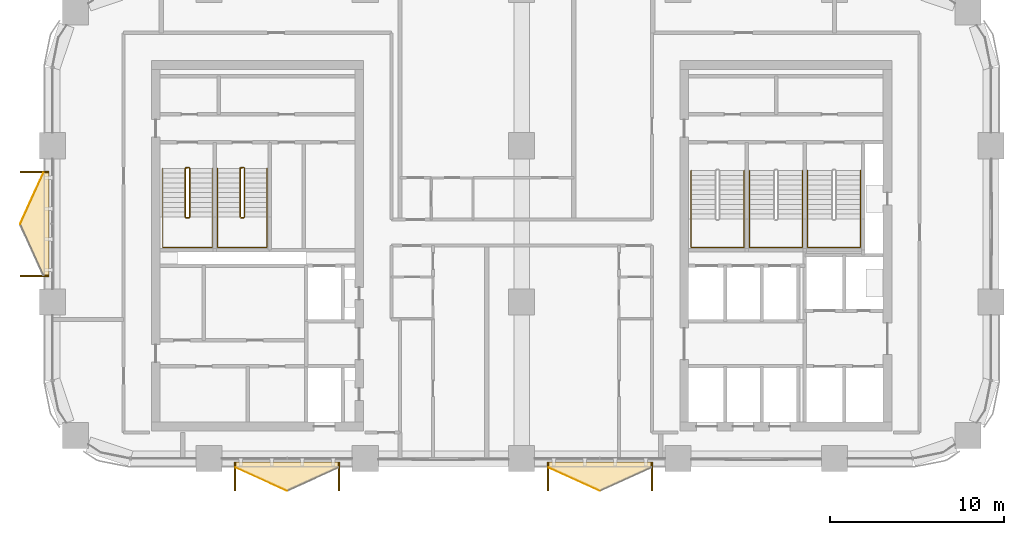
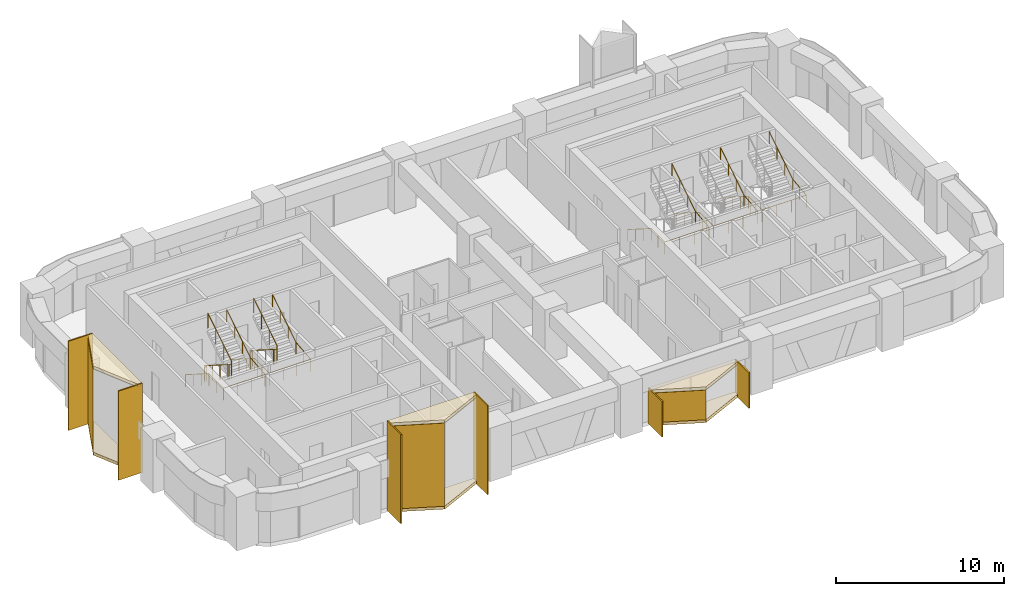
# One storey, part 13 of 14: 15 coverings, 7 railings.
"""IFC4 building model written with IfcOpenShell, lengths in metres."""

from ifc_helpers import new_model, si_unit, direction, frame, origin, origin_2d, place, context, subcontext, project, spatial, polyline, rectangle, circle, outline, extrude, material, layer, layer_set, type_object, element, save


model = new_model("IFC4")

# Units and contexts
model_context = context("Model", 3, precision=1e-05, world=origin(), true_north=direction((0.0, 1.0)))
body_context = subcontext(model_context, "Body", "Model", "MODEL_VIEW")
ifc_project = project(units=[si_unit("LENGTHUNIT", "METRE"), si_unit("AREAUNIT", "SQUARE_METRE"), si_unit("VOLUMEUNIT", "CUBIC_METRE"), si_unit("PLANEANGLEUNIT", "RADIAN"), si_unit("MASSUNIT", "GRAM", prefix="KILO")], contexts=[model_context])

# Site, building, storey
site_placement = place(None, origin())
site = spatial("IfcSite", under=ifc_project, at=site_placement, CompositionType="ELEMENT")
building_placement = place(site_placement, origin())
building = spatial("IfcBuilding", under=site, at=building_placement, Name="Tessera Arch", CompositionType="ELEMENT")
storey_placement = place(building_placement, frame((0.0, 0.0, 142.699951171875)))
storey = spatial("IfcBuildingStorey", under=building, at=storey_placement, Name="L33", CompositionType="ELEMENT", Elevation=142.699951171875)

# Railings
ifc_material_1 = material(Name="Painted steel balustrade", Category="steel")
railing_type_1 = type_object("IfcRailingType", Name="Stair guard 1100", PredefinedType="GUARDRAIL", material=ifc_material_1)
railing_1_placement = place(storey_placement, frame((7.699951171875, 43.75, 0.0)))
element("IfcRailing", 1, at=railing_1_placement, inside=storey, type_object=railing_type_1, Name="L33 S2a stair guard 1", PredefinedType="GUARDRAIL", context=body_context, shape_type="SweptSolid", body=[
    extrude(circle(Radius=0.02392578125, at=origin_2d()), frame((-0.00390625, 0.0, 1.076171875), z_axis=(1.0, 0.0, 0.0), x_axis=(0.0, 1.0, 0.0)), (0.0, 0.0, 1.0), 0.158203125),
    extrude(circle(Radius=0.02392578125, at=origin_2d()), frame((0.153076171875, 0.000732421875, 1.073486328125), z_axis=(-0.735936453418, -0.183984113355, 0.651573006319), x_axis=(0.242535625036, -0.970142500145, 0.0)), (0.0, 0.0, 1.0), 0.280029296875),
    extrude(circle(Radius=0.02392578125, at=origin_2d()), frame((-0.050048828125, -0.046630859375, 1.251220703125), z_axis=(0.0, -0.844908973607, 0.534910110503), x_axis=(1.0, 0.0, 0.0)), (0.0, 0.0, 1.0), 3.322021484375),
    extrude(circle(Radius=0.02392578125, at=origin_2d()), frame((-0.052978515625, -2.84716796875, 3.02587890625), z_axis=(0.708833529934, -0.705375805398, 0.0), x_axis=(0.705375805398, 0.708833529934, 0.0)), (0.0, 0.0, 1.0), 0.07861328125),
    extrude(circle(Radius=0.02392578125, at=origin_2d()), frame((-0.00390625, -2.89990234375, 3.02587890625), z_axis=(1.0, 0.0, 0.0), x_axis=(0.0, 1.0, 0.0)), (0.0, 0.0, 1.0), 0.158203125),
    extrude(circle(Radius=0.02392578125, at=origin_2d()), frame((0.149169921875, -2.90087890625, 3.022216796875), z_axis=(0.26081902908, 0.26081902908, 0.92948742226), x_axis=(-0.707106781187, 0.707106781187, 0.0)), (0.0, 0.0, 1.0), 0.198974609375),
    extrude(circle(Radius=0.02392578125, at=origin_2d()), frame((0.199951171875, -2.853515625, 3.201416015625), z_axis=(0.0, 0.844908973607, 0.534910110503), x_axis=(-1.0, 0.0, 0.0)), (0.0, 0.0, 1.0), 3.322021484375),
    extrude(circle(Radius=0.02099609375, at=origin_2d()), origin(), (0.0, 0.0, 1.0), 1.06396484375),
    extrude(circle(Radius=0.02099609375, at=origin_2d()), frame((0.150146484375, 0.0, 0.0)), (0.0, 0.0, 1.0), 1.06396484375),
    extrude(circle(Radius=0.02099609375, at=origin_2d()), frame((-0.050048828125, -0.050048828125, 0.17724609375)), (0.0, 0.0, 1.0), 1.06396484375),
    extrude(circle(Radius=0.02099609375, at=origin_2d()), frame((-0.050048828125, -0.9833984375, 0.76806640625)), (0.0, 0.0, 1.0), 1.06396484375),
    extrude(circle(Radius=0.02099609375, at=origin_2d()), frame((-0.050048828125, -1.916748046875, 1.359130859375)), (0.0, 0.0, 1.0), 1.06396484375),
    extrude(circle(Radius=0.02099609375, at=origin_2d()), frame((-0.050048828125, -2.85009765625, 1.949951171875)), (0.0, 0.0, 1.0), 1.06396484375),
    extrude(circle(Radius=0.02099609375, at=origin_2d()), frame((0.0, -2.89990234375, 1.949951171875)), (0.0, 0.0, 1.0), 1.06396484375),
    extrude(circle(Radius=0.02099609375, at=origin_2d()), frame((0.150146484375, -2.89990234375, 1.949951171875)), (0.0, 0.0, 1.0), 1.06396484375),
    extrude(circle(Radius=0.02099609375, at=origin_2d()), frame((0.199951171875, -2.85009765625, 2.12744140625)), (0.0, 0.0, 1.0), 1.06396484375),
    extrude(circle(Radius=0.02099609375, at=origin_2d()), frame((0.199951171875, -1.916748046875, 2.71826171875)), (0.0, 0.0, 1.0), 1.06396484375),
    extrude(circle(Radius=0.02099609375, at=origin_2d()), frame((0.199951171875, -0.9833984375, 3.309326171875)), (0.0, 0.0, 1.0), 1.06396484375),
    extrude(circle(Radius=0.02099609375, at=origin_2d()), frame((0.199951171875, -0.050048828125, 3.900146484375)), (0.0, 0.0, 1.0), 1.06396484375),
])
railing_2_placement = place(storey_placement, frame((10.85009765625, 43.75, 0.0)))
element("IfcRailing", 2, at=railing_2_placement, inside=storey, type_object=railing_type_1, Name="L33 S2b stair guard 1", PredefinedType="GUARDRAIL", context=body_context, shape_type="SweptSolid", body=[
    extrude(circle(Radius=0.02392578125, at=origin_2d()), frame((-0.00390625, 0.0, 1.076171875), z_axis=(1.0, 0.0, 0.0), x_axis=(0.0, 1.0, 0.0)), (0.0, 0.0, 1.0), 0.157958984375),
    extrude(circle(Radius=0.02392578125, at=origin_2d()), frame((0.15283203125, 0.000732421875, 1.073486328125), z_axis=(-0.735524641326, -0.184105679453, 0.652003528208), x_axis=(0.242814311512, -0.970072785993, 0.0)), (0.0, 0.0, 1.0), 0.27978515625),
    extrude(circle(Radius=0.02392578125, at=origin_2d()), frame((-0.050048828125, -0.046630859375, 1.251220703125), z_axis=(0.0, -0.844908973607, 0.534910110503), x_axis=(1.0, 0.0, 0.0)), (0.0, 0.0, 1.0), 3.322021484375),
    extrude(circle(Radius=0.02392578125, at=origin_2d()), frame((-0.052978515625, -2.84716796875, 3.02587890625), z_axis=(0.708833529934, -0.705375805398, 0.0), x_axis=(0.705375805398, 0.708833529934, 0.0)), (0.0, 0.0, 1.0), 0.07861328125),
    extrude(circle(Radius=0.02392578125, at=origin_2d()), frame((-0.00390625, -2.89990234375, 3.02587890625), z_axis=(1.0, 0.0, 0.0), x_axis=(0.0, 1.0, 0.0)), (0.0, 0.0, 1.0), 0.157958984375),
    extrude(circle(Radius=0.02392578125, at=origin_2d()), frame((0.14892578125, -2.90087890625, 3.022216796875), z_axis=(0.262009983441, 0.260731885961, 0.929176868105), x_axis=(-0.705375805398, 0.708833529934, 0.0)), (0.0, 0.0, 1.0), 0.198974609375),
    extrude(circle(Radius=0.02392578125, at=origin_2d()), frame((0.199951171875, -2.853515625, 3.201416015625), z_axis=(0.0, 0.844908973607, 0.534910110503), x_axis=(-1.0, 0.0, 0.0)), (0.0, 0.0, 1.0), 3.322021484375),
    extrude(circle(Radius=0.02099609375, at=origin_2d()), origin(), (0.0, 0.0, 1.0), 1.06396484375),
    extrude(circle(Radius=0.02099609375, at=origin_2d()), frame((0.14990234375, 0.0, 0.0)), (0.0, 0.0, 1.0), 1.06396484375),
    extrude(circle(Radius=0.02099609375, at=origin_2d()), frame((-0.050048828125, -0.050048828125, 0.17724609375)), (0.0, 0.0, 1.0), 1.06396484375),
    extrude(circle(Radius=0.02099609375, at=origin_2d()), frame((-0.050048828125, -0.9833984375, 0.76806640625)), (0.0, 0.0, 1.0), 1.06396484375),
    extrude(circle(Radius=0.02099609375, at=origin_2d()), frame((-0.050048828125, -1.916748046875, 1.359130859375)), (0.0, 0.0, 1.0), 1.06396484375),
    extrude(circle(Radius=0.02099609375, at=origin_2d()), frame((-0.050048828125, -2.85009765625, 1.949951171875)), (0.0, 0.0, 1.0), 1.06396484375),
    extrude(circle(Radius=0.02099609375, at=origin_2d()), frame((0.0, -2.89990234375, 1.949951171875)), (0.0, 0.0, 1.0), 1.06396484375),
    extrude(circle(Radius=0.02099609375, at=origin_2d()), frame((0.14990234375, -2.89990234375, 1.949951171875)), (0.0, 0.0, 1.0), 1.06396484375),
    extrude(circle(Radius=0.02099609375, at=origin_2d()), frame((0.199951171875, -2.85009765625, 2.12744140625)), (0.0, 0.0, 1.0), 1.06396484375),
    extrude(circle(Radius=0.02099609375, at=origin_2d()), frame((0.199951171875, -1.916748046875, 2.71826171875)), (0.0, 0.0, 1.0), 1.06396484375),
    extrude(circle(Radius=0.02099609375, at=origin_2d()), frame((0.199951171875, -0.9833984375, 3.309326171875)), (0.0, 0.0, 1.0), 1.06396484375),
    extrude(circle(Radius=0.02099609375, at=origin_2d()), frame((0.199951171875, -0.050048828125, 3.900146484375)), (0.0, 0.0, 1.0), 1.06396484375),
])
ifc_material_2 = material(Name="Painted steel handrail", Category="steel")
railing_type_2 = type_object("IfcRailingType", Name="Stair handrail 900", PredefinedType="HANDRAIL", material=ifc_material_2)
railing_3_placement = place(storey_placement, frame((36.75, 43.580078125, 0.17724609375)))
element("IfcRailing", 3, at=railing_3_placement, inside=storey, type_object=railing_type_2, Name="L33 S1a stair handrail", PredefinedType="HANDRAIL", context=body_context, shape_type="SweptSolid", body=[
    extrude(circle(Radius=0.02392578125, at=origin_2d()), frame((0.0, 0.00341796875, 0.873779296875), z_axis=(0.0, -0.844908973607, 0.534910110503), x_axis=(1.0, 0.0, 0.0)), (0.0, 0.0, 1.0), 3.322021484375),
    extrude(circle(Radius=0.02392578125, at=origin_2d()), frame((0.0, -2.796142578125, 2.6484375), z_axis=(0.0, -1.0, 0.0), x_axis=(1.0, 0.0, 0.0)), (0.0, 0.0, 1.0), 1.63818359375),
    extrude(circle(Radius=0.02392578125, at=origin_2d()), frame((-0.00390625, -4.43017578125, 2.6484375), z_axis=(1.0, 0.0, 0.0), x_axis=(0.0, 1.0, 0.0)), (0.0, 0.0, 1.0), 3.05810546875),
    extrude(circle(Radius=0.02392578125, at=origin_2d()), frame((3.050048828125, -4.43408203125, 2.648193359375), z_axis=(0.0, 0.994124627078, 0.108241516233), x_axis=(-1.0, 0.0, 0.0)), (0.0, 0.0, 1.0), 1.647705078125),
    extrude(circle(Radius=0.02392578125, at=origin_2d()), frame((3.050048828125, -2.803466796875, 2.823974609375), z_axis=(0.0, 0.844908973607, 0.534910110503), x_axis=(-1.0, 0.0, 0.0)), (0.0, 0.0, 1.0), 3.322021484375),
    extrude(circle(Radius=0.02099609375, at=origin_2d()), origin(), (0.0, 0.0, 1.0), 0.86376953125),
    extrude(circle(Radius=0.02099609375, at=origin_2d()), frame((0.0, -0.933349609375, 0.5908203125)), (0.0, 0.0, 1.0), 0.86376953125),
    extrude(circle(Radius=0.02099609375, at=origin_2d()), frame((0.0, -1.86669921875, 1.181884765625)), (0.0, 0.0, 1.0), 0.86376953125),
    extrude(circle(Radius=0.02099609375, at=origin_2d()), frame((0.0, -2.800048828125, 1.772705078125)), (0.0, 0.0, 1.0), 0.86376953125),
    extrude(circle(Radius=0.02099609375, at=origin_2d()), frame((0.0, -3.615234375, 1.772705078125)), (0.0, 0.0, 1.0), 0.86376953125),
    extrude(circle(Radius=0.02099609375, at=origin_2d()), frame((0.0, -4.43017578125, 1.772705078125)), (0.0, 0.0, 1.0), 0.86376953125),
    extrude(circle(Radius=0.02099609375, at=origin_2d()), frame((1.0166015625, -4.43017578125, 1.772705078125)), (0.0, 0.0, 1.0), 0.86376953125),
    extrude(circle(Radius=0.02099609375, at=origin_2d()), frame((2.033447265625, -4.43017578125, 1.772705078125)), (0.0, 0.0, 1.0), 0.86376953125),
    extrude(circle(Radius=0.02099609375, at=origin_2d()), frame((3.050048828125, -4.43017578125, 1.772705078125)), (0.0, 0.0, 1.0), 0.86376953125),
    extrude(circle(Radius=0.02099609375, at=origin_2d()), frame((3.050048828125, -3.615234375, 1.861328125)), (0.0, 0.0, 1.0), 0.86376953125),
    extrude(circle(Radius=0.02099609375, at=origin_2d()), frame((3.050048828125, -2.800048828125, 1.9501953125)), (0.0, 0.0, 1.0), 0.86376953125),
    extrude(circle(Radius=0.02099609375, at=origin_2d()), frame((3.050048828125, -1.86669921875, 2.541015625)), (0.0, 0.0, 1.0), 0.86376953125),
    extrude(circle(Radius=0.02099609375, at=origin_2d()), frame((3.050048828125, -0.933349609375, 3.132080078125)), (0.0, 0.0, 1.0), 0.86376953125),
    extrude(circle(Radius=0.02099609375, at=origin_2d()), frame((3.050048828125, 0.0, 3.722900390625)), (0.0, 0.0, 1.0), 0.86376953125),
])
railing_4_placement = place(storey_placement, frame((40.10009765625, 43.580078125, 0.17724609375)))
element("IfcRailing", 4, at=railing_4_placement, inside=storey, type_object=railing_type_2, Name="L33 S1b stair handrail", PredefinedType="HANDRAIL", context=body_context, shape_type="SweptSolid", body=[
    extrude(circle(Radius=0.02392578125, at=origin_2d()), frame((0.0, 0.00341796875, 0.873779296875), z_axis=(0.0, -0.844908973607, 0.534910110503), x_axis=(1.0, 0.0, 0.0)), (0.0, 0.0, 1.0), 3.322021484375),
    extrude(circle(Radius=0.02392578125, at=origin_2d()), frame((0.0, -2.796142578125, 2.6484375), z_axis=(0.0, -1.0, 0.0), x_axis=(1.0, 0.0, 0.0)), (0.0, 0.0, 1.0), 1.63818359375),
    extrude(circle(Radius=0.02392578125, at=origin_2d()), frame((-0.00390625, -4.43017578125, 2.6484375), z_axis=(1.0, 0.0, 0.0), x_axis=(0.0, 1.0, 0.0)), (0.0, 0.0, 1.0), 3.057861328125),
    extrude(circle(Radius=0.02392578125, at=origin_2d()), frame((3.0498046875, -4.43408203125, 2.648193359375), z_axis=(0.0, 0.994124627078, 0.108241516233), x_axis=(-1.0, 0.0, 0.0)), (0.0, 0.0, 1.0), 1.647705078125),
    extrude(circle(Radius=0.02392578125, at=origin_2d()), frame((3.0498046875, -2.803466796875, 2.823974609375), z_axis=(0.0, 0.844908973607, 0.534910110503), x_axis=(-1.0, 0.0, 0.0)), (0.0, 0.0, 1.0), 3.322021484375),
    extrude(circle(Radius=0.02099609375, at=origin_2d()), origin(), (0.0, 0.0, 1.0), 0.86376953125),
    extrude(circle(Radius=0.02099609375, at=origin_2d()), frame((0.0, -0.933349609375, 0.5908203125)), (0.0, 0.0, 1.0), 0.86376953125),
    extrude(circle(Radius=0.02099609375, at=origin_2d()), frame((0.0, -1.86669921875, 1.181884765625)), (0.0, 0.0, 1.0), 0.86376953125),
    extrude(circle(Radius=0.02099609375, at=origin_2d()), frame((0.0, -2.800048828125, 1.772705078125)), (0.0, 0.0, 1.0), 0.86376953125),
    extrude(circle(Radius=0.02099609375, at=origin_2d()), frame((0.0, -3.615234375, 1.772705078125)), (0.0, 0.0, 1.0), 0.86376953125),
    extrude(circle(Radius=0.02099609375, at=origin_2d()), frame((0.0, -4.43017578125, 1.772705078125)), (0.0, 0.0, 1.0), 0.86376953125),
    extrude(circle(Radius=0.02099609375, at=origin_2d()), frame((1.0166015625, -4.43017578125, 1.772705078125)), (0.0, 0.0, 1.0), 0.86376953125),
    extrude(circle(Radius=0.02099609375, at=origin_2d()), frame((2.033203125, -4.43017578125, 1.772705078125)), (0.0, 0.0, 1.0), 0.86376953125),
    extrude(circle(Radius=0.02099609375, at=origin_2d()), frame((3.0498046875, -4.43017578125, 1.772705078125)), (0.0, 0.0, 1.0), 0.86376953125),
    extrude(circle(Radius=0.02099609375, at=origin_2d()), frame((3.0498046875, -3.615234375, 1.861328125)), (0.0, 0.0, 1.0), 0.86376953125),
    extrude(circle(Radius=0.02099609375, at=origin_2d()), frame((3.0498046875, -2.800048828125, 1.9501953125)), (0.0, 0.0, 1.0), 0.86376953125),
    extrude(circle(Radius=0.02099609375, at=origin_2d()), frame((3.0498046875, -1.86669921875, 2.541015625)), (0.0, 0.0, 1.0), 0.86376953125),
    extrude(circle(Radius=0.02099609375, at=origin_2d()), frame((3.0498046875, -0.933349609375, 3.132080078125)), (0.0, 0.0, 1.0), 0.86376953125),
    extrude(circle(Radius=0.02099609375, at=origin_2d()), frame((3.0498046875, 0.0, 3.722900390625)), (0.0, 0.0, 1.0), 0.86376953125),
])
railing_5_placement = place(storey_placement, frame((43.449951171875, 43.580078125, 0.17724609375)))
element("IfcRailing", 5, at=railing_5_placement, inside=storey, type_object=railing_type_2, Name="L33 S1c stair handrail", PredefinedType="HANDRAIL", context=body_context, shape_type="SweptSolid", body=[
    extrude(circle(Radius=0.02392578125, at=origin_2d()), frame((0.0, 0.00341796875, 0.873779296875), z_axis=(0.0, -0.844908973607, 0.534910110503), x_axis=(1.0, 0.0, 0.0)), (0.0, 0.0, 1.0), 3.322021484375),
    extrude(circle(Radius=0.02392578125, at=origin_2d()), frame((0.0, -2.796142578125, 2.6484375), z_axis=(0.0, -1.0, 0.0), x_axis=(1.0, 0.0, 0.0)), (0.0, 0.0, 1.0), 1.63818359375),
    extrude(circle(Radius=0.02392578125, at=origin_2d()), frame((-0.00390625, -4.43017578125, 2.6484375), z_axis=(1.0, 0.0, 0.0), x_axis=(0.0, 1.0, 0.0)), (0.0, 0.0, 1.0), 3.05810546875),
    extrude(circle(Radius=0.02392578125, at=origin_2d()), frame((3.050048828125, -4.43408203125, 2.648193359375), z_axis=(0.0, 0.994124627078, 0.108241516233), x_axis=(-1.0, 0.0, 0.0)), (0.0, 0.0, 1.0), 1.647705078125),
    extrude(circle(Radius=0.02392578125, at=origin_2d()), frame((3.050048828125, -2.803466796875, 2.823974609375), z_axis=(0.0, 0.844908973607, 0.534910110503), x_axis=(-1.0, 0.0, 0.0)), (0.0, 0.0, 1.0), 3.322021484375),
    extrude(circle(Radius=0.02099609375, at=origin_2d()), origin(), (0.0, 0.0, 1.0), 0.86376953125),
    extrude(circle(Radius=0.02099609375, at=origin_2d()), frame((0.0, -0.933349609375, 0.5908203125)), (0.0, 0.0, 1.0), 0.86376953125),
    extrude(circle(Radius=0.02099609375, at=origin_2d()), frame((0.0, -1.86669921875, 1.181884765625)), (0.0, 0.0, 1.0), 0.86376953125),
    extrude(circle(Radius=0.02099609375, at=origin_2d()), frame((0.0, -2.800048828125, 1.772705078125)), (0.0, 0.0, 1.0), 0.86376953125),
    extrude(circle(Radius=0.02099609375, at=origin_2d()), frame((0.0, -3.615234375, 1.772705078125)), (0.0, 0.0, 1.0), 0.86376953125),
    extrude(circle(Radius=0.02099609375, at=origin_2d()), frame((0.0, -4.43017578125, 1.772705078125)), (0.0, 0.0, 1.0), 0.86376953125),
    extrude(circle(Radius=0.02099609375, at=origin_2d()), frame((1.0166015625, -4.43017578125, 1.772705078125)), (0.0, 0.0, 1.0), 0.86376953125),
    extrude(circle(Radius=0.02099609375, at=origin_2d()), frame((2.033447265625, -4.43017578125, 1.772705078125)), (0.0, 0.0, 1.0), 0.86376953125),
    extrude(circle(Radius=0.02099609375, at=origin_2d()), frame((3.050048828125, -4.43017578125, 1.772705078125)), (0.0, 0.0, 1.0), 0.86376953125),
    extrude(circle(Radius=0.02099609375, at=origin_2d()), frame((3.050048828125, -3.615234375, 1.861328125)), (0.0, 0.0, 1.0), 0.86376953125),
    extrude(circle(Radius=0.02099609375, at=origin_2d()), frame((3.050048828125, -2.800048828125, 1.9501953125)), (0.0, 0.0, 1.0), 0.86376953125),
    extrude(circle(Radius=0.02099609375, at=origin_2d()), frame((3.050048828125, -1.86669921875, 2.541015625)), (0.0, 0.0, 1.0), 0.86376953125),
    extrude(circle(Radius=0.02099609375, at=origin_2d()), frame((3.050048828125, -0.933349609375, 3.132080078125)), (0.0, 0.0, 1.0), 0.86376953125),
    extrude(circle(Radius=0.02099609375, at=origin_2d()), frame((3.050048828125, 0.0, 3.722900390625)), (0.0, 0.0, 1.0), 0.86376953125),
])
railing_6_placement = place(storey_placement, frame((6.35009765625, 43.699951171875, 0.17724609375)))
element("IfcRailing", 6, at=railing_6_placement, inside=storey, type_object=railing_type_2, Name="L33 S2a stair handrail", PredefinedType="HANDRAIL", context=body_context, shape_type="SweptSolid", body=[
    extrude(circle(Radius=0.02392578125, at=origin_2d()), frame((0.0, 0.00341796875, 0.873779296875), z_axis=(0.0, -0.844908973607, 0.534910110503), x_axis=(1.0, 0.0, 0.0)), (0.0, 0.0, 1.0), 3.322021484375),
    extrude(circle(Radius=0.02392578125, at=origin_2d()), frame((0.0, -2.796142578125, 2.6484375), z_axis=(0.0, -1.0, 0.0), x_axis=(1.0, 0.0, 0.0)), (0.0, 0.0, 1.0), 1.758056640625),
    extrude(circle(Radius=0.02392578125, at=origin_2d()), frame((-0.00390625, -4.550048828125, 2.6484375), z_axis=(1.0, 0.0, 0.0), x_axis=(0.0, 1.0, 0.0)), (0.0, 0.0, 1.0), 2.85791015625),
    extrude(circle(Radius=0.02392578125, at=origin_2d()), frame((2.849853515625, -4.553955078125, 2.648193359375), z_axis=(0.0, 0.994896031807, 0.100905331351), x_axis=(-1.0, 0.0, 0.0)), (0.0, 0.0, 1.0), 1.76708984375),
    extrude(circle(Radius=0.02392578125, at=origin_2d()), frame((2.849853515625, -2.803466796875, 2.823974609375), z_axis=(0.0, 0.844908973607, 0.534910110503), x_axis=(-1.0, 0.0, 0.0)), (0.0, 0.0, 1.0), 3.322021484375),
    extrude(circle(Radius=0.02099609375, at=origin_2d()), origin(), (0.0, 0.0, 1.0), 0.86376953125),
    extrude(circle(Radius=0.02099609375, at=origin_2d()), frame((0.0, -0.933349609375, 0.5908203125)), (0.0, 0.0, 1.0), 0.86376953125),
    extrude(circle(Radius=0.02099609375, at=origin_2d()), frame((0.0, -1.86669921875, 1.181884765625)), (0.0, 0.0, 1.0), 0.86376953125),
    extrude(circle(Radius=0.02099609375, at=origin_2d()), frame((0.0, -2.800048828125, 1.772705078125)), (0.0, 0.0, 1.0), 0.86376953125),
    extrude(circle(Radius=0.02099609375, at=origin_2d()), frame((0.0, -3.675048828125, 1.772705078125)), (0.0, 0.0, 1.0), 0.86376953125),
    extrude(circle(Radius=0.02099609375, at=origin_2d()), frame((0.0, -4.550048828125, 1.772705078125)), (0.0, 0.0, 1.0), 0.86376953125),
    extrude(circle(Radius=0.02099609375, at=origin_2d()), frame((0.949951171875, -4.550048828125, 1.772705078125)), (0.0, 0.0, 1.0), 0.86376953125),
    extrude(circle(Radius=0.02099609375, at=origin_2d()), frame((1.89990234375, -4.550048828125, 1.772705078125)), (0.0, 0.0, 1.0), 0.86376953125),
    extrude(circle(Radius=0.02099609375, at=origin_2d()), frame((2.849853515625, -4.550048828125, 1.772705078125)), (0.0, 0.0, 1.0), 0.86376953125),
    extrude(circle(Radius=0.02099609375, at=origin_2d()), frame((2.849853515625, -3.675048828125, 1.861328125)), (0.0, 0.0, 1.0), 0.86376953125),
    extrude(circle(Radius=0.02099609375, at=origin_2d()), frame((2.849853515625, -2.800048828125, 1.9501953125)), (0.0, 0.0, 1.0), 0.86376953125),
    extrude(circle(Radius=0.02099609375, at=origin_2d()), frame((2.849853515625, -1.86669921875, 2.541015625)), (0.0, 0.0, 1.0), 0.86376953125),
    extrude(circle(Radius=0.02099609375, at=origin_2d()), frame((2.849853515625, -0.933349609375, 3.132080078125)), (0.0, 0.0, 1.0), 0.86376953125),
    extrude(circle(Radius=0.02099609375, at=origin_2d()), frame((2.849853515625, 0.0, 3.722900390625)), (0.0, 0.0, 1.0), 0.86376953125),
])
railing_7_placement = place(storey_placement, frame((9.5, 43.699951171875, 0.17724609375)))
element("IfcRailing", 7, at=railing_7_placement, inside=storey, type_object=railing_type_2, Name="L33 S2b stair handrail", PredefinedType="HANDRAIL", context=body_context, shape_type="SweptSolid", body=[
    extrude(circle(Radius=0.02392578125, at=origin_2d()), frame((0.0, 0.00341796875, 0.873779296875), z_axis=(0.0, -0.844908973607, 0.534910110503), x_axis=(1.0, 0.0, 0.0)), (0.0, 0.0, 1.0), 3.322021484375),
    extrude(circle(Radius=0.02392578125, at=origin_2d()), frame((0.0, -2.796142578125, 2.6484375), z_axis=(0.0, -1.0, 0.0), x_axis=(1.0, 0.0, 0.0)), (0.0, 0.0, 1.0), 1.758056640625),
    extrude(circle(Radius=0.02392578125, at=origin_2d()), frame((-0.00390625, -4.550048828125, 2.6484375), z_axis=(1.0, 0.0, 0.0), x_axis=(0.0, 1.0, 0.0)), (0.0, 0.0, 1.0), 2.858154296875),
    extrude(circle(Radius=0.02392578125, at=origin_2d()), frame((2.85009765625, -4.553955078125, 2.648193359375), z_axis=(0.0, 0.994896031807, 0.100905331351), x_axis=(-1.0, 0.0, 0.0)), (0.0, 0.0, 1.0), 1.76708984375),
    extrude(circle(Radius=0.02392578125, at=origin_2d()), frame((2.85009765625, -2.803466796875, 2.823974609375), z_axis=(0.0, 0.844908973607, 0.534910110503), x_axis=(-1.0, 0.0, 0.0)), (0.0, 0.0, 1.0), 3.322021484375),
    extrude(circle(Radius=0.02099609375, at=origin_2d()), origin(), (0.0, 0.0, 1.0), 0.86376953125),
    extrude(circle(Radius=0.02099609375, at=origin_2d()), frame((0.0, -0.933349609375, 0.5908203125)), (0.0, 0.0, 1.0), 0.86376953125),
    extrude(circle(Radius=0.02099609375, at=origin_2d()), frame((0.0, -1.86669921875, 1.181884765625)), (0.0, 0.0, 1.0), 0.86376953125),
    extrude(circle(Radius=0.02099609375, at=origin_2d()), frame((0.0, -2.800048828125, 1.772705078125)), (0.0, 0.0, 1.0), 0.86376953125),
    extrude(circle(Radius=0.02099609375, at=origin_2d()), frame((0.0, -3.675048828125, 1.772705078125)), (0.0, 0.0, 1.0), 0.86376953125),
    extrude(circle(Radius=0.02099609375, at=origin_2d()), frame((0.0, -4.550048828125, 1.772705078125)), (0.0, 0.0, 1.0), 0.86376953125),
    extrude(circle(Radius=0.02099609375, at=origin_2d()), frame((0.949951171875, -4.550048828125, 1.772705078125)), (0.0, 0.0, 1.0), 0.86376953125),
    extrude(circle(Radius=0.02099609375, at=origin_2d()), frame((1.900146484375, -4.550048828125, 1.772705078125)), (0.0, 0.0, 1.0), 0.86376953125),
    extrude(circle(Radius=0.02099609375, at=origin_2d()), frame((2.85009765625, -4.550048828125, 1.772705078125)), (0.0, 0.0, 1.0), 0.86376953125),
    extrude(circle(Radius=0.02099609375, at=origin_2d()), frame((2.85009765625, -3.675048828125, 1.861328125)), (0.0, 0.0, 1.0), 0.86376953125),
    extrude(circle(Radius=0.02099609375, at=origin_2d()), frame((2.85009765625, -2.800048828125, 1.9501953125)), (0.0, 0.0, 1.0), 0.86376953125),
    extrude(circle(Radius=0.02099609375, at=origin_2d()), frame((2.85009765625, -1.86669921875, 2.541015625)), (0.0, 0.0, 1.0), 0.86376953125),
    extrude(circle(Radius=0.02099609375, at=origin_2d()), frame((2.85009765625, -0.933349609375, 3.132080078125)), (0.0, 0.0, 1.0), 0.86376953125),
    extrude(circle(Radius=0.02099609375, at=origin_2d()), frame((2.85009765625, 0.0, 3.722900390625)), (0.0, 0.0, 1.0), 0.86376953125),
])

# Coverings
ifc_material_3 = material(Name="Anodised aluminium pale metal", Category="aluminium")
ifc_layer_1 = layer(ifc_material_3, 0.080078125)
ifc_layer_set_1 = layer_set([ifc_layer_1], Name="Window box cheek")
covering_type_1 = type_object("IfcCoveringType", Name="Window box cheek", PredefinedType="CLADDING", material=ifc_layer_set_1)
covering_1_placement = place(storey_placement, origin())
element("IfcCovering", 8, at=covering_1_placement, inside=storey, type_object=covering_type_1, Name="Window box W0.27/1.0 2x2 cheek", PredefinedType="CLADDING", context=body_context, shape_type="SweptSolid", body=[
    extrude(outline(polyline([(-1.85009765625, 43.530029296875), (-1.85009765625, 43.449951171875), (-0.199951171875, 43.449951171875), (-0.199951171875, 43.530029296875), (-1.85009765625, 43.530029296875)])), origin(), (0.0, 0.0, 1.0), 6.5),
])
covering_2_placement = place(storey_placement, origin())
element("IfcCovering", 9, at=covering_2_placement, inside=storey, type_object=covering_type_1, Name="Window box W0.27/1.0 2x2 cheek", PredefinedType="CLADDING", context=body_context, shape_type="SweptSolid", body=[
    extrude(outline(polyline([(-1.85009765625, 37.550048828125), (-1.85009765625, 37.469970703125), (-0.199951171875, 37.469970703125), (-0.199951171875, 37.550048828125), (-1.85009765625, 37.550048828125)])), origin(), (0.0, 0.0, 1.0), 6.5),
])
covering_3_placement = place(storey_placement, origin())
element("IfcCovering", 10, at=covering_3_placement, inside=storey, type_object=covering_type_1, Name="Window box S27.0/1.0 2x2 cheek", PredefinedType="CLADDING", context=body_context, shape_type="SweptSolid", body=[
    extrude(outline(polyline([(10.469970703125, 25.14990234375), (10.550048828125, 25.14990234375), (10.550048828125, 26.800048828125), (10.469970703125, 26.800048828125), (10.469970703125, 25.14990234375)])), origin(), (0.0, 0.0, 1.0), 6.5),
])
covering_4_placement = place(storey_placement, origin())
element("IfcCovering", 11, at=covering_4_placement, inside=storey, type_object=covering_type_1, Name="Window box S27.0/1.0 2x2 cheek", PredefinedType="CLADDING", context=body_context, shape_type="SweptSolid", body=[
    extrude(outline(polyline([(16.449951171875, 25.14990234375), (16.530029296875, 25.14990234375), (16.530029296875, 26.800048828125), (16.449951171875, 26.800048828125), (16.449951171875, 25.14990234375)])), origin(), (0.0, 0.0, 1.0), 6.5),
])
covering_5_placement = place(storey_placement, origin())
element("IfcCovering", 12, at=covering_5_placement, inside=storey, type_object=covering_type_1, Name="Window box S27.0/3.0 2x1 cheek", PredefinedType="CLADDING", context=body_context, shape_type="SweptSolid", body=[
    extrude(outline(polyline([(28.469970703125, 25.14990234375), (28.550048828125, 25.14990234375), (28.550048828125, 26.800048828125), (28.469970703125, 26.800048828125), (28.469970703125, 25.14990234375)])), origin(), (0.0, 0.0, 1.0), 2.60009765625),
])
covering_6_placement = place(storey_placement, origin())
element("IfcCovering", 13, at=covering_6_placement, inside=storey, type_object=covering_type_1, Name="Window box S27.0/3.0 2x1 cheek", PredefinedType="CLADDING", context=body_context, shape_type="SweptSolid", body=[
    extrude(outline(polyline([(34.449951171875, 25.14990234375), (34.530029296875, 25.14990234375), (34.530029296875, 26.800048828125), (34.449951171875, 26.800048828125), (34.449951171875, 25.14990234375)])), origin(), (0.0, 0.0, 1.0), 2.60009765625),
])
ifc_material_4 = material(Name="Anodised aluminium cobalt blue", Category="aluminium")
ifc_layer_2 = layer(ifc_material_4, 0.219970703125)
ifc_layer_set_2 = layer_set([ifc_layer_2], Name="Window box frame plate cobalt")
covering_type_2 = type_object("IfcCoveringType", Name="Window box frame plate cobalt", PredefinedType="CLADDING", material=ifc_layer_set_2)
for number, where, name in (
    (14, (0.0, 0.0, 0.0), "Window box S27.0/3.0 2x1 floor"),
    (15, (0.0, 0.0, 2.380126953125), "Window box S27.0/3.0 2x1 roof"),
):
    element("IfcCovering", number, at=place(storey_placement, frame(where)), inside=storey, type_object=covering_type_2, Name=name, PredefinedType="CLADDING", context=body_context, shape_type="SweptSolid", body=[
        extrude(outline(polyline([(28.550048828125, 26.489990234375), (31.5, 25.14990234375), (34.449951171875, 26.489990234375), (34.449951171875, 26.800048828125), (28.550048828125, 26.800048828125), (28.550048828125, 26.489990234375)])), origin(), (0.0, 0.0, 1.0), 0.219970703125),
    ])
ifc_material_5 = material(Name="Anodised aluminium pale metal", Category="aluminium")
ifc_layer_3 = layer(ifc_material_5, 0.219970703125)
ifc_layer_set_3 = layer_set([ifc_layer_3], Name="Window box frame plate pale metal")
covering_type_3 = type_object("IfcCoveringType", Name="Window box frame plate pale metal", PredefinedType="CLADDING", material=ifc_layer_set_3)
for number, where, name in (
    (16, (0.0, 0.0, 0.0), "Window box W0.27/1.0 2x2 floor"),
    (17, (0.0, 0.0, 6.280029296875), "Window box W0.27/1.0 2x2 roof"),
):
    element("IfcCovering", number, at=place(storey_placement, frame(where)), inside=storey, type_object=covering_type_3, Name=name, PredefinedType="CLADDING", context=body_context, shape_type="SweptSolid", body=[
        extrude(outline(polyline([(-0.510009765625, 43.449951171875), (-1.85009765625, 40.5), (-0.510009765625, 37.550048828125), (-0.199951171875, 37.550048828125), (-0.199951171875, 43.449951171875), (-0.510009765625, 43.449951171875)])), origin(), (0.0, 0.0, 1.0), 0.219970703125),
    ])
for number, where, name in (
    (18, (0.0, 0.0, 0.0), "Window box S27.0/1.0 2x2 floor"),
    (19, (0.0, 0.0, 6.280029296875), "Window box S27.0/1.0 2x2 roof"),
):
    element("IfcCovering", number, at=place(storey_placement, frame(where)), inside=storey, type_object=covering_type_3, Name=name, PredefinedType="CLADDING", context=body_context, shape_type="SweptSolid", body=[
        extrude(outline(polyline([(10.550048828125, 26.489990234375), (13.5, 25.14990234375), (16.449951171875, 26.489990234375), (16.449951171875, 26.800048828125), (10.550048828125, 26.800048828125), (10.550048828125, 26.489990234375)])), origin(), (0.0, 0.0, 1.0), 0.219970703125),
    ])
ifc_material_6 = material(Name="Anodised aluminium pale metal", Category="aluminium")
ifc_layer_4 = layer(ifc_material_6, 0.028076171875)
ifc_layer_set_4 = layer_set([ifc_layer_4], Name="Window box side panel")
covering_type_4 = type_object("IfcCoveringType", Name="Window box side panel", PredefinedType="CLADDING", material=ifc_layer_set_4)
for number, where, z_axis, x_axis, name in (
    (20, (-1.179931640625, 41.97509765625, 0.219970703125), (0.0, 0.0, 1.0), (-0.413570397858, -0.910472144558, 0.0), "Window box W0.27/1.0 2x2 side panel"),
    (21, (12.02490234375, 25.820068359375, 0.219970703125), (0.0, 0.0, 1.0), (0.910472144558, -0.413570397858, 0.0), "Window box S27.0/1.0 2x2 side panel"),
):
    element("IfcCovering", number, at=place(storey_placement, frame(where, z_axis=z_axis, x_axis=x_axis)), inside=storey, type_object=covering_type_4, Name=name, PredefinedType="CLADDING", context=body_context, shape_type="SweptSolid", body=[
        extrude(rectangle(XDim=3.239990234375, YDim=0.028076171875, at=origin_2d()), origin(), (0.0, 0.0, 1.0), 6.06005859375),
    ])
covering_7_placement = place(storey_placement, frame((30.02490234375, 25.820068359375, 0.22021484375), z_axis=(0.0, 0.0, 1.0), x_axis=(0.910472144558, -0.413570397858, 0.0)))
element("IfcCovering", 22, at=covering_7_placement, inside=storey, type_object=covering_type_4, Name="Window box S27.0/3.0 2x1 side panel", PredefinedType="CLADDING", context=body_context, shape_type="SweptSolid", body=[
    extrude(rectangle(XDim=3.239990234375, YDim=0.028076171875, at=origin_2d()), origin(), (0.0, 0.0, 1.0), 2.159912109375),
])

save(model, "model.ifc")
